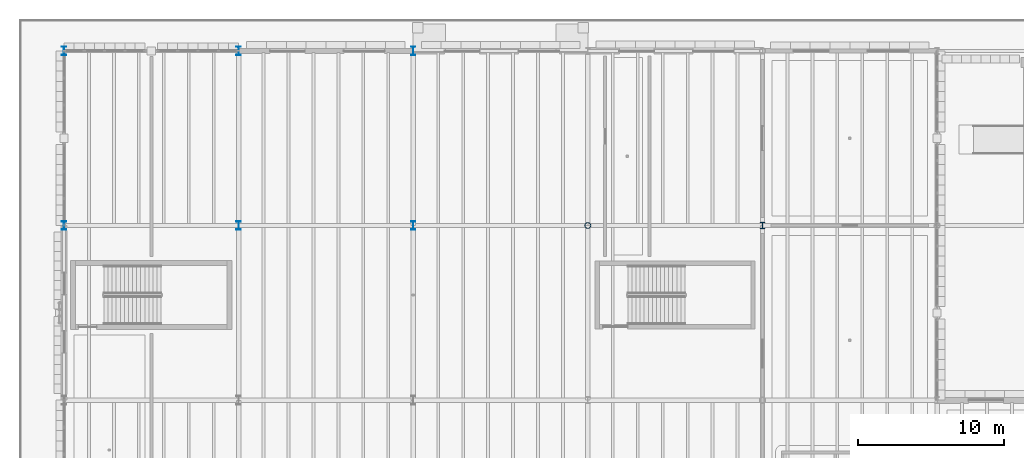
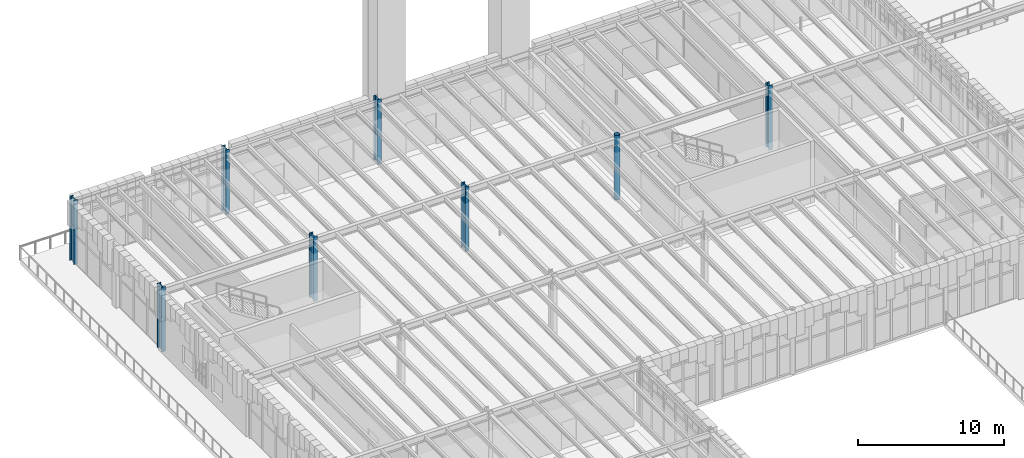
# One storey, part 6 of 103: 8 columns.
"""IFC4 building model written with IfcOpenShell, lengths in metres."""

from ifc_helpers import new_model, si_unit, direction, frame, origin, origin_2d, place, context, subcontext, project, spatial, hollow_circle, i_section, extrude, material, material_profile, profile_set, type_object, element, save


model = new_model("IFC4")

# Units and contexts
model_context = context("Model", 3, precision=1e-05, world=origin(), true_north=direction((0.0, 1.0)))
body_context = subcontext(model_context, "Body", "Model", "MODEL_VIEW")
ifc_project = project(units=[si_unit("LENGTHUNIT", "METRE"), si_unit("AREAUNIT", "SQUARE_METRE"), si_unit("VOLUMEUNIT", "CUBIC_METRE"), si_unit("PLANEANGLEUNIT", "RADIAN"), si_unit("MASSUNIT", "GRAM", prefix="KILO")], contexts=[model_context])

# Site, building, storey
site_placement = place(None, origin())
site = spatial("IfcSite", under=ifc_project, at=site_placement, CompositionType="ELEMENT")
building_placement = place(site_placement, origin())
building = spatial("IfcBuilding", under=site, at=building_placement, Name="Zlatogorsky Bluff Art Gallery", CompositionType="ELEMENT")
storey_placement = place(building_placement, origin())
storey = spatial("IfcBuildingStorey", under=building, at=storey_placement, Name="L00", CompositionType="ELEMENT", Elevation=0.0)

# Columns
ifc_material = material(Name="Steel S355", Category="steel")
ifc_material_profile_1 = material_profile(ifc_material, i_section(OverallWidth=0.300048828125, OverallDepth=0.60009765625, WebThickness=0.015380859375, FlangeThickness=0.030029296875, FilletRadius=0.027099609375, at=origin_2d()), Name="HEB 600")
ifc_profile_set_1 = profile_set([ifc_material_profile_1], Name="Steel S355")
column_type_1 = type_object("IfcColumnType", Name="Column CL-01 HEB 600", PredefinedType="COLUMN", material=ifc_profile_set_1)
for number, where, z_axis, x_axis, name in (
    (1, (0.0, 108.0, 0.0), (0.0, 0.0, 1.0), (1.0, 0.0, 0.0), "Column CL-01 L00 A11"),
    (2, (0.0, 120.0, 0.0), (0.0, 0.0, 1.0), (1.0, 0.0, 0.0), "Column CL-01 L00 A12"),
    (3, (12.0, 108.0, 0.0), (0.0, 0.0, 1.0), (1.0, 0.0, 0.0), "Column CL-01 L00 B11"),
    (4, (12.0, 120.0, 0.0), (0.0, 0.0, 1.0), (1.0, 0.0, 0.0), "Column CL-01 L00 B12"),
    (5, (24.0, 108.0, 0.0), (0.0, 0.0, 1.0), (1.0, 0.0, 0.0), "Column CL-01 L00 C11"),
    (6, (24.0, 120.0, 0.0), (0.0, 0.0, 1.0), (1.0, 0.0, 0.0), "Column CL-01 L00 C12"),
):
    element("IfcColumn", number, at=place(storey_placement, frame(where, z_axis=z_axis, x_axis=x_axis)), inside=storey, type_object=column_type_1, Name=name, PredefinedType="COLUMN", context=body_context, shape_type="SweptSolid", body=[
        extrude(i_section(OverallWidth=0.300048828125, OverallDepth=0.60009765625, WebThickness=0.015380859375, FlangeThickness=0.030029296875, FilletRadius=0.027099609375, at=origin_2d()), origin(), (0.0, 0.0, 1.0), 5.39990234375),
    ])
ifc_material_profile_2 = material_profile(ifc_material, i_section(OverallWidth=0.300048828125, OverallDepth=0.449951171875, WebThickness=0.013916015625, FlangeThickness=0.02587890625, FilletRadius=0.027099609375, at=origin_2d()), Name="HEB 450")
ifc_profile_set_2 = profile_set([ifc_material_profile_2], Name="Steel S355")
column_type_2 = type_object("IfcColumnType", Name="Column CL-03 HEB 450", PredefinedType="COLUMN", material=ifc_profile_set_2)
column_1_placement = place(storey_placement, frame((48.0, 108.0, 0.0), z_axis=(0.0, 0.0, 1.0), x_axis=(1.0, 0.0, 0.0)))
element("IfcColumn", 7, at=column_1_placement, inside=storey, type_object=column_type_2, Name="Column CL-03 L00 E11", PredefinedType="COLUMN", context=body_context, shape_type="SweptSolid", body=[
    extrude(i_section(OverallWidth=0.300048828125, OverallDepth=0.449951171875, WebThickness=0.013916015625, FlangeThickness=0.02587890625, FilletRadius=0.027099609375, at=origin_2d()), origin(), (0.0, 0.0, 1.0), 5.39990234375),
])
ifc_material_profile_3 = material_profile(ifc_material, hollow_circle(Radius=0.203125, WallThickness=0.01611328125, at=origin_2d()), Name="CHS 406.4x16")
ifc_profile_set_3 = profile_set([ifc_material_profile_3], Name="Steel S355")
column_type_3 = type_object("IfcColumnType", Name="Column CL-09 CHS 406.4x16", PredefinedType="COLUMN", material=ifc_profile_set_3)
column_2_placement = place(storey_placement, frame((36.0, 108.0, 0.0), z_axis=(0.0, 0.0, 1.0), x_axis=(1.0, 0.0, 0.0)))
element("IfcColumn", 8, at=column_2_placement, inside=storey, type_object=column_type_3, Name="Column CL-09 L00 D11", PredefinedType="COLUMN", context=body_context, shape_type="SweptSolid", body=[
    extrude(hollow_circle(Radius=0.203125, WallThickness=0.01611328125, at=origin_2d()), origin(), (0.0, 0.0, 1.0), 5.39990234375),
])

save(model, "model.ifc")
